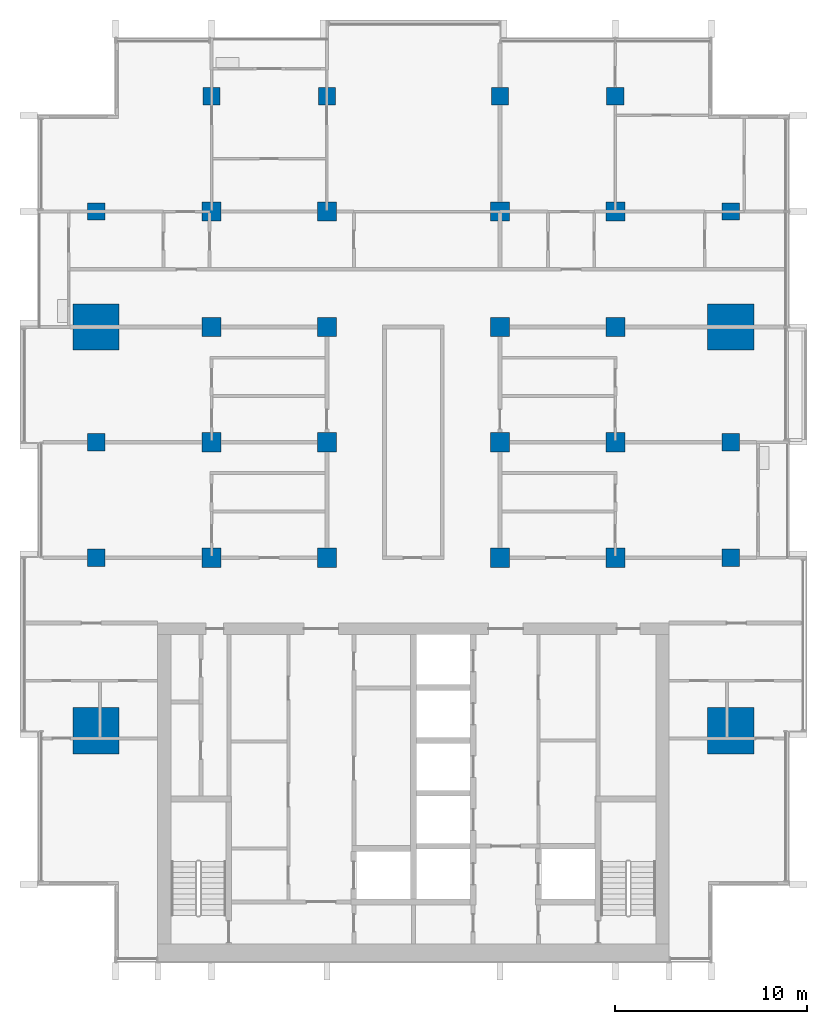
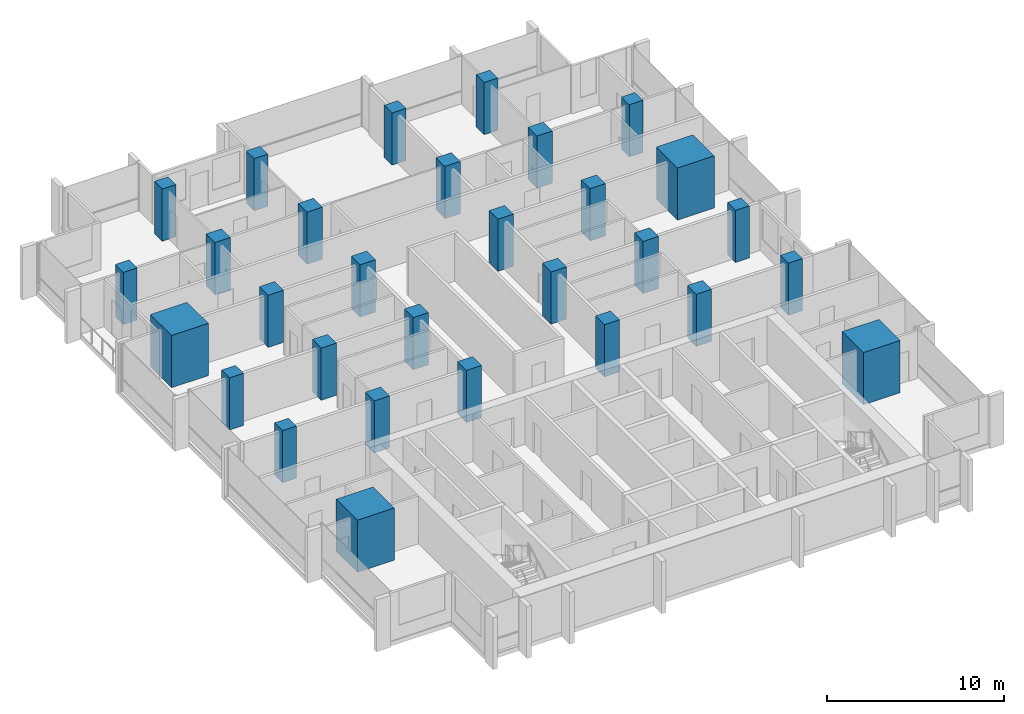
# One storey, part 1 of 16: 30 columns.
"""IFC4 building model written with IfcOpenShell, lengths in metres."""

from ifc_helpers import new_model, si_unit, direction, frame, origin, origin_2d, place, context, subcontext, project, spatial, rectangle, extrude, material, material_profile, profile_set, type_object, element, save


model = new_model("IFC4")

# Units and contexts
model_context = context("Model", 3, precision=1e-05, world=origin(), true_north=direction((0.0, 1.0)))
body_context = subcontext(model_context, "Body", "Model", "MODEL_VIEW")
ifc_project = project(units=[si_unit("LENGTHUNIT", "METRE"), si_unit("AREAUNIT", "SQUARE_METRE"), si_unit("VOLUMEUNIT", "CUBIC_METRE"), si_unit("PLANEANGLEUNIT", "RADIAN"), si_unit("MASSUNIT", "GRAM", prefix="KILO")], contexts=[model_context])

# Site, building, storey
site_placement = place(None, origin())
site = spatial("IfcSite", under=ifc_project, at=site_placement, CompositionType="ELEMENT")
building_placement = place(site_placement, origin())
building = spatial("IfcBuilding", under=site, at=building_placement, Name="Finial Court Residences", CompositionType="ELEMENT")
storey_placement = place(building_placement, frame((0.0, 0.0, 163.699951171875)))
storey = spatial("IfcBuildingStorey", under=building, at=storey_placement, Name="L40", CompositionType="ELEMENT", Elevation=163.699951171875)

# Columns
ifc_material = material(Name="Concrete C60/75", Category="concrete")
ifc_material_profile_1 = material_profile(ifc_material, rectangle(XDim=1.0, YDim=1.0, at=origin_2d()), Name="1000x1000")
ifc_profile_set_1 = profile_set([ifc_material_profile_1], Name="Concrete C60/75")
column_type_1 = type_object("IfcColumnType", Name="Interior column 1000x1000 Concrete C60/75", PredefinedType="COLUMN", material=ifc_profile_set_1)
for number, where, z_axis, x_axis, name in (
    (1, (-10.5, -4.5, 0.0), (0.0, 0.0, 1.0), (1.0, 0.0, 0.0), "S:COL:L40:D4"),
    (2, (-10.5, 1.5, 0.0), (0.0, 0.0, 1.0), (1.0, 0.0, 0.0), "S:COL:L40:D5"),
    (3, (-10.5, 7.5, 0.0), (0.0, 0.0, 1.0), (1.0, 0.0, 0.0), "S:COL:L40:D6"),
    (4, (-10.5, 13.5, 0.0), (0.0, 0.0, 1.0), (1.0, 0.0, 0.0), "S:COL:L40:D7"),
    (5, (-4.5, -4.5, 0.0), (0.0, 0.0, 1.0), (1.0, 0.0, 0.0), "S:COL:L40:E4"),
    (6, (-4.5, 1.5, 0.0), (0.0, 0.0, 1.0), (1.0, 0.0, 0.0), "S:COL:L40:E5"),
    (7, (-4.5, 7.5, 0.0), (0.0, 0.0, 1.0), (1.0, 0.0, 0.0), "S:COL:L40:E6"),
    (8, (-4.5, 13.5, 0.0), (0.0, 0.0, 1.0), (1.0, 0.0, 0.0), "S:COL:L40:E7"),
    (9, (4.5, -4.5, 0.0), (0.0, 0.0, 1.0), (1.0, 0.0, 0.0), "S:COL:L40:F4"),
    (10, (4.5, 1.5, 0.0), (0.0, 0.0, 1.0), (1.0, 0.0, 0.0), "S:COL:L40:F5"),
    (11, (4.5, 7.5, 0.0), (0.0, 0.0, 1.0), (1.0, 0.0, 0.0), "S:COL:L40:F6"),
    (12, (4.5, 13.5, 0.0), (0.0, 0.0, 1.0), (1.0, 0.0, 0.0), "S:COL:L40:F7"),
    (13, (10.5, -4.5, 0.0), (0.0, 0.0, 1.0), (1.0, 0.0, 0.0), "S:COL:L40:G4"),
    (14, (10.5, 1.5, 0.0), (0.0, 0.0, 1.0), (1.0, 0.0, 0.0), "S:COL:L40:G5"),
    (15, (10.5, 7.5, 0.0), (0.0, 0.0, 1.0), (1.0, 0.0, 0.0), "S:COL:L40:G6"),
    (16, (10.5, 13.5, 0.0), (0.0, 0.0, 1.0), (1.0, 0.0, 0.0), "S:COL:L40:G7"),
):
    element("IfcColumn", number, at=place(storey_placement, frame(where, z_axis=z_axis, x_axis=x_axis)), inside=storey, type_object=column_type_1, Name=name, PredefinedType="COLUMN", context=body_context, shape_type="SweptSolid", body=[
        extrude(rectangle(XDim=1.0, YDim=1.0, at=origin_2d()), origin(), (0.0, 0.0, 1.0), 3.60009765625),
    ])
ifc_material_profile_2 = material_profile(ifc_material, rectangle(XDim=2.39990234375, YDim=2.39990234375, at=origin_2d()), Name="2400x2400")
ifc_profile_set_2 = profile_set([ifc_material_profile_2], Name="Concrete C60/75")
column_type_2 = type_object("IfcColumnType", Name="Mega column 2400x2400 Concrete C60/75", PredefinedType="COLUMN", material=ifc_profile_set_2)
for number, where, z_axis, x_axis, name in (
    (17, (-16.5, -13.5, 0.0), (0.0, 0.0, 1.0), (1.0, 0.0, 0.0), "S:COL:L40:C3"),
    (18, (-16.5, 7.5, 0.0), (0.0, 0.0, 1.0), (1.0, 0.0, 0.0), "S:COL:L40:C6"),
    (19, (16.5, -13.5, 0.0), (0.0, 0.0, 1.0), (1.0, 0.0, 0.0), "S:COL:L40:H3"),
    (20, (16.5, 7.5, 0.0), (0.0, 0.0, 1.0), (1.0, 0.0, 0.0), "S:COL:L40:H6"),
):
    element("IfcColumn", number, at=place(storey_placement, frame(where, z_axis=z_axis, x_axis=x_axis)), inside=storey, type_object=column_type_2, Name=name, PredefinedType="COLUMN", context=body_context, shape_type="SweptSolid", body=[
        extrude(rectangle(XDim=2.39990234375, YDim=2.39990234375, at=origin_2d()), origin(), (0.0, 0.0, 1.0), 3.60009765625),
    ])
ifc_material_profile_3 = material_profile(ifc_material, rectangle(XDim=0.89990234375, YDim=0.89990234375, at=origin_2d()), Name="900x900")
ifc_profile_set_3 = profile_set([ifc_material_profile_3], Name="Concrete C60/75")
column_type_3 = type_object("IfcColumnType", Name="Perimeter column 900x900 Concrete C60/75", PredefinedType="COLUMN", material=ifc_profile_set_3)
for number, where, z_axis, x_axis, name in (
    (21, (-16.5, -4.5, 0.0), (0.0, 0.0, 1.0), (1.0, 0.0, 0.0), "S:COL:L40:C4"),
    (22, (-16.5, 1.5, 0.0), (0.0, 0.0, 1.0), (1.0, 0.0, 0.0), "S:COL:L40:C5"),
    (23, (-16.5, 13.5, 0.0), (0.0, 0.0, 1.0), (1.0, 0.0, 0.0), "S:COL:L40:C7"),
    (24, (-10.5, 19.5, 0.0), (0.0, 0.0, 1.0), (1.0, 0.0, 0.0), "S:COL:L40:D8"),
    (25, (-4.5, 19.5, 0.0), (0.0, 0.0, 1.0), (1.0, 0.0, 0.0), "S:COL:L40:E8"),
    (26, (4.5, 19.5, 0.0), (0.0, 0.0, 1.0), (1.0, 0.0, 0.0), "S:COL:L40:F8"),
    (27, (10.5, 19.5, 0.0), (0.0, 0.0, 1.0), (1.0, 0.0, 0.0), "S:COL:L40:G8"),
    (28, (16.5, -4.5, 0.0), (0.0, 0.0, 1.0), (1.0, 0.0, 0.0), "S:COL:L40:H4"),
    (29, (16.5, 1.5, 0.0), (0.0, 0.0, 1.0), (1.0, 0.0, 0.0), "S:COL:L40:H5"),
    (30, (16.5, 13.5, 0.0), (0.0, 0.0, 1.0), (1.0, 0.0, 0.0), "S:COL:L40:H7"),
):
    element("IfcColumn", number, at=place(storey_placement, frame(where, z_axis=z_axis, x_axis=x_axis)), inside=storey, type_object=column_type_3, Name=name, PredefinedType="COLUMN", context=body_context, shape_type="SweptSolid", body=[
        extrude(rectangle(XDim=0.89990234375, YDim=0.89990234375, at=origin_2d()), origin(), (0.0, 0.0, 1.0), 3.60009765625),
    ])

save(model, "model.ifc")
